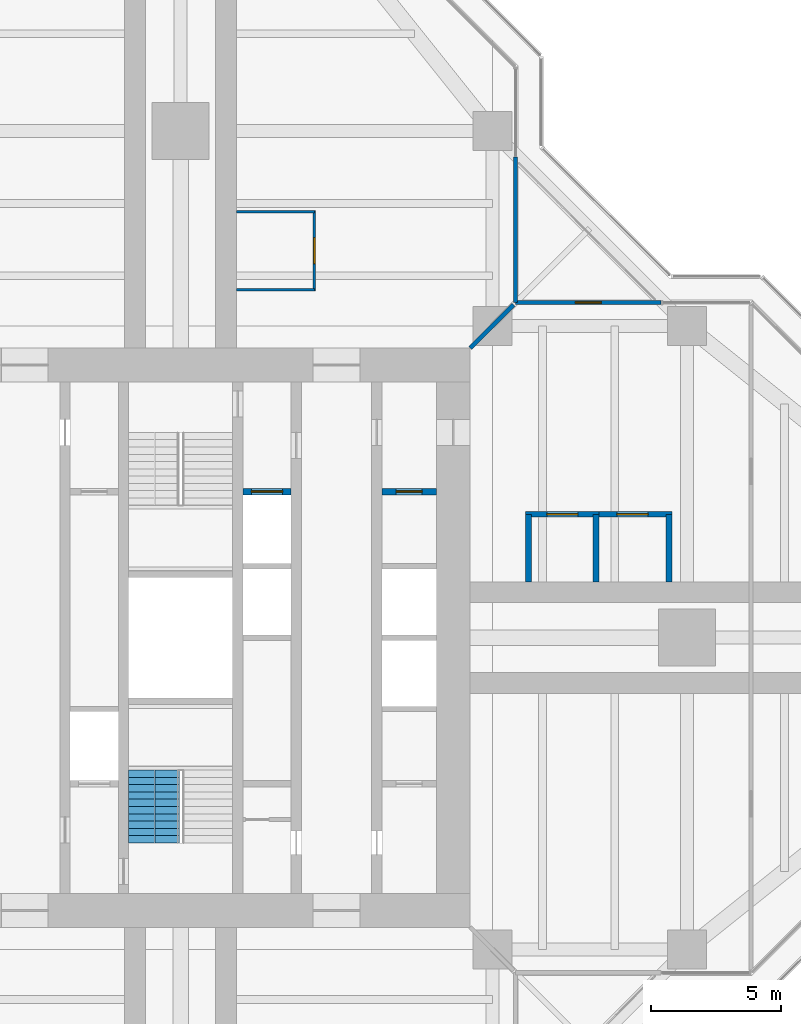
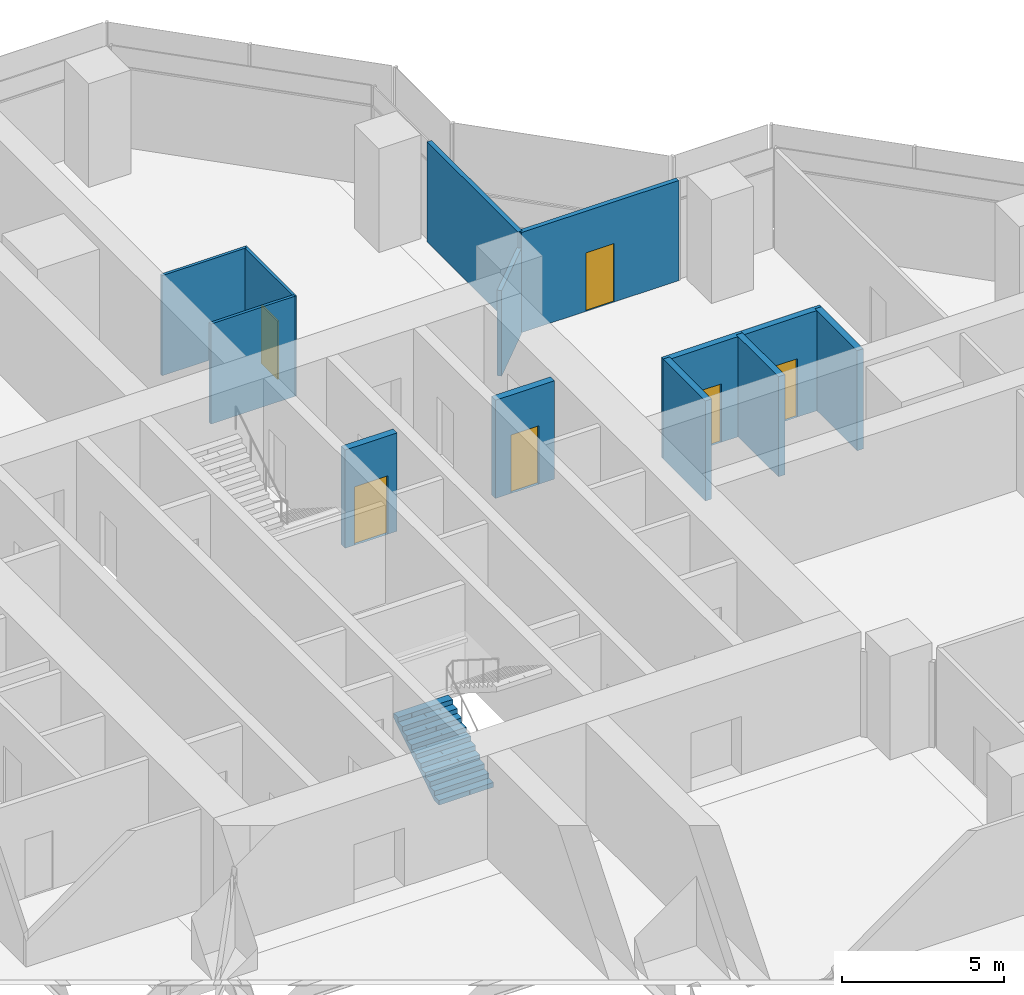
# One storey, part 15 of 17: 13 walls, 6 doors, 1 stair flight, 6 openings, 1 element without a shape of its own.
"""IFC4 building model written with IfcOpenShell, lengths in metres."""

from ifc_helpers import new_model, si_unit, direction, frame, frame_2d, origin, place, context, subcontext, project, spatial, polyline, rectangle, outline, extrude, material, layer, layer_set, type_object, element, fill, aggregate, save


model = new_model("IFC4")

# Units and contexts
model_context = context("Model", 3, precision=1e-05, world=origin(), true_north=direction((0.0, 1.0)))
body_context = subcontext(model_context, "Body", "Model", "MODEL_VIEW")
ifc_project = project(units=[si_unit("LENGTHUNIT", "METRE"), si_unit("AREAUNIT", "SQUARE_METRE"), si_unit("VOLUMEUNIT", "CUBIC_METRE"), si_unit("PLANEANGLEUNIT", "RADIAN"), si_unit("MASSUNIT", "GRAM", prefix="KILO")], contexts=[model_context])

# Site, building, storey
site_placement = place(None, origin())
site = spatial("IfcSite", under=ifc_project, at=site_placement, CompositionType="ELEMENT")
building_placement = place(site_placement, origin())
building = spatial("IfcBuilding", under=site, at=building_placement, Name="Mizan Broadcast Tower", CompositionType="ELEMENT")
storey_placement = place(building_placement, frame((0.0, 0.0, 212.699951171875)))
storey = spatial("IfcBuildingStorey", under=building, at=storey_placement, Name="L49", CompositionType="ELEMENT", Elevation=212.699951171875)

# Wall, opening, door
ifc_material_1 = material(Name="Aluminium framed glazed screen", Category="aluminium")
ifc_layer_1 = layer(ifc_material_1, 0.159912109375)
ifc_layer_set_1 = layer_set([ifc_layer_1], Name="Aluminium framed glazed screen")
wall_type_1 = type_object("IfcWallType", Name="GLAZED SCREEN WALL 160", PredefinedType="SOLIDWALL", material=ifc_layer_set_1)
wall_1_placement = place(storey_placement, frame((18.5, 12.89990234375, 0.0), z_axis=(0.0, 0.0, 1.0), x_axis=(-1.0, 0.0, 0.0)))
wall_1 = element("IfcWall", 1, at=wall_1_placement, inside=storey, type_object=wall_type_1, Name="Winter garden screen L49 E", PredefinedType="SOLIDWALL", context=body_context, shape_type="SweptSolid", body=[
    extrude(rectangle(XDim=5.60009765625, YDim=0.159912109375, at=frame_2d((2.800048828125, 0.0))), origin(), (0.0, 0.0, 1.0), 3.77001953125),
])
opening_1_placement = place(wall_1_placement, frame((2.300048828125, 0.0, 0.0)))
opening_1 = element("IfcOpeningElement", 2, at=opening_1_placement, cuts=wall_1, Name="Opening WGD", PredefinedType="OPENING", context=body_context, shape_type="SweptSolid", body=[
    extrude(rectangle(XDim=1.0, YDim=2.199951171875, at=frame_2d((0.5, 1.10009765625))), frame((0.0, 0.08984375, 0.0), z_axis=(0.0, -1.0, 0.0), x_axis=(1.0, 0.0, 0.0)), (0.0, 0.0, 1.0), 0.179931640625),
])
ifc_material_2 = material(Name="Aluminium framed glazed door", Category="aluminium")
door_type_1 = type_object("IfcDoorType", Name="WINTER GARDEN DOOR 1000 GLAZED", OperationType="SINGLE_SWING_LEFT", PredefinedType="DOOR", material=ifc_material_2)
door_1_placement = place(opening_1_placement, origin())
door_1 = element("IfcDoor", 3, at=door_1_placement, inside=storey, type_object=door_type_1, Name="Winter garden door L49 E", OperationType="SINGLE_SWING_RIGHT", OverallHeight=2.199951171875, OverallWidth=1.0, PredefinedType="DOOR", context=body_context, shape_type="SweptSolid", body=[
    extrude(rectangle(XDim=1.0, YDim=2.199951171875, at=frame_2d((0.5, 1.10009765625))), frame((0.0, 0.02490234375, 0.0), z_axis=(0.0, -1.0, 0.0), x_axis=(1.0, 0.0, 0.0)), (0.0, 0.0, 1.0), 0.050048828125),
])
fill(opening_1, door_1)

# Wall
wall_2_placement = place(storey_placement, frame((12.89990234375, 12.89990234375, 0.0), z_axis=(0.0, 0.0, 1.0), x_axis=(0.0, 1.0, 0.0)))
element("IfcWall", 4, at=wall_2_placement, inside=storey, type_object=wall_type_1, Name="Winter garden screen L49 N", PredefinedType="SOLIDWALL", context=body_context, shape_type="SweptSolid", body=[
    extrude(rectangle(XDim=5.60009765625, YDim=0.159912109375, at=frame_2d((2.800048828125, 0.0))), origin(), (0.0, 0.0, 1.0), 3.77001953125),
])

# Wall, opening, door
ifc_material_3 = material(Name="Concrete blockwork", Category="masonry")
ifc_layer_2 = layer(ifc_material_3, 0.25)
ifc_layer_set_2 = layer_set([ifc_layer_2], Name="Concrete blockwork")
wall_type_2 = type_object("IfcWallType", Name="LOBBY ENCLOSURE WALL 250", PredefinedType="SOLIDWALL", material=ifc_layer_set_2)
wall_3_placement = place(storey_placement, frame((2.39990234375, 5.625, 0.0), z_axis=(0.0, 0.0, 1.0), x_axis=(1.0, 0.0, 0.0)))
wall_3 = element("IfcWall", 5, at=wall_3_placement, inside=storey, type_object=wall_type_2, Name="Lobby enclosure wall CORE/BE2N", PredefinedType="SOLIDWALL", context=body_context, shape_type="SweptSolid", body=[
    extrude(rectangle(XDim=1.85009765625, YDim=0.25, at=frame_2d((0.925048828125, 0.0))), origin(), (0.0, 0.0, 1.0), 3.699951171875),
])
opening_2_placement = place(wall_3_placement, frame((0.324951171875, 0.0, 0.0)))
opening_2 = element("IfcOpeningElement", 6, at=opening_2_placement, cuts=wall_3, Name="Opening LDF", PredefinedType="OPENING", context=body_context, shape_type="SweptSolid", body=[
    extrude(rectangle(XDim=1.199951171875, YDim=2.199951171875, at=frame_2d((0.60009765625, 1.10009765625))), frame((0.0, 0.135009765625, 0.0), z_axis=(0.0, -1.0, 0.0), x_axis=(1.0, 0.0, 0.0)), (0.0, 0.0, 1.0), 0.27001953125),
])
ifc_material_4 = material(Name="Steel door leaf in steel frame", Category="steel")
door_type_2 = type_object("IfcDoorType", Name="FIREFIGHTING LIFT LANDING DOOR 1200", OperationType="SLIDING_TO_LEFT", PredefinedType="DOOR", material=ifc_material_4)
door_2_placement = place(opening_2_placement, origin())
door_2 = element("IfcDoor", 7, at=door_2_placement, inside=storey, type_object=door_type_2, Name="Landing door FF2", OperationType="SLIDING_TO_LEFT", OverallHeight=2.199951171875, OverallWidth=1.199951171875, PredefinedType="DOOR", context=body_context, shape_type="SweptSolid", body=[
    extrude(rectangle(XDim=1.199951171875, YDim=2.199951171875, at=frame_2d((0.60009765625, 1.10009765625))), frame((0.0, 0.02490234375, 0.0), z_axis=(0.0, -1.0, 0.0), x_axis=(1.0, 0.0, 0.0)), (0.0, 0.0, 1.0), 0.050048828125),
])
fill(opening_2, door_2)

wall_4_placement = place(storey_placement, frame((7.75, 5.625, 0.0), z_axis=(0.0, 0.0, 1.0), x_axis=(1.0, 0.0, 0.0)))
wall_4 = element("IfcWall", 8, at=wall_4_placement, inside=storey, type_object=wall_type_2, Name="Lobby enclosure wall CORE/BE1N", PredefinedType="SOLIDWALL", context=body_context, shape_type="SweptSolid", body=[
    extrude(rectangle(XDim=2.10009765625, YDim=0.25, at=frame_2d((1.050048828125, 0.0))), origin(), (0.0, 0.0, 1.0), 3.699951171875),
])
opening_3_placement = place(wall_4_placement, frame((0.550048828125, 0.0, 0.0)))
opening_3 = element("IfcOpeningElement", 9, at=opening_3_placement, cuts=wall_4, Name="Opening D10F", PredefinedType="OPENING", context=body_context, shape_type="SweptSolid", body=[
    extrude(rectangle(XDim=1.0, YDim=2.199951171875, at=frame_2d((0.5, 1.10009765625))), frame((0.0, 0.135009765625, 0.0), z_axis=(0.0, -1.0, 0.0), x_axis=(1.0, 0.0, 0.0)), (0.0, 0.0, 1.0), 0.27001953125),
])
ifc_material_5 = material(Name="Steel door leaf in steel frame", Category="steel")
door_type_3 = type_object("IfcDoorType", Name="FIRE DOOR 1000 FD90", OperationType="SINGLE_SWING_LEFT", PredefinedType="DOOR", material=ifc_material_5)
door_3_placement = place(opening_3_placement, origin())
door_3 = element("IfcDoor", 10, at=door_3_placement, inside=storey, type_object=door_type_3, Name="Comms room door", OperationType="SINGLE_SWING_LEFT", OverallHeight=2.199951171875, OverallWidth=1.0, PredefinedType="DOOR", context=body_context, shape_type="SweptSolid", body=[
    extrude(rectangle(XDim=1.0, YDim=2.199951171875, at=frame_2d((0.5, 1.10009765625))), frame((0.0, 0.02490234375, 0.0), z_axis=(0.0, -1.0, 0.0), x_axis=(1.0, 0.0, 0.0)), (0.0, 0.0, 1.0), 0.050048828125),
])
fill(opening_3, door_3)

# Walls
ifc_material_6 = material(Name="Gypsum board on steel studs", Category="steel")
ifc_layer_3 = layer(ifc_material_6, 0.14990234375)
ifc_layer_set_3 = layer_set([ifc_layer_3], Name="Gypsum board on steel studs")
wall_type_3 = type_object("IfcWallType", Name="PARTITION 150", PredefinedType="PARTITIONING", material=ifc_layer_set_3)
wall_5_placement = place(storey_placement, frame((11.14990234375, 11.14990234375, 0.0), z_axis=(0.0, 0.0, 1.0), x_axis=(0.707106781187, 0.707106781187, 0.0)))
element("IfcWall", 11, at=wall_5_placement, inside=storey, type_object=wall_type_3, Name="Partition PT/DGEN", PredefinedType="PARTITIONING", context=body_context, shape_type="SweptSolid", body=[
    extrude(rectangle(XDim=2.362060546875, YDim=0.14990234375, at=frame_2d((1.18115234375, 0.0))), origin(), (0.0, 0.0, 1.0), 3.219970703125),
])
ifc_material_7 = material(Name="Twin steel stud acoustic partition, four layers of gypsum board", Category="steel")
ifc_layer_4 = layer(ifc_material_7, 0.22509765625)
ifc_layer_set_4 = layer_set([ifc_layer_4], Name="Twin steel stud acoustic partition, four layers of gypsum board")
wall_type_4 = type_object("IfcWallType", Name="PARTITION ACOUSTIC 225", PredefinedType="PARTITIONING", material=ifc_layer_set_4)
for number, where, z_axis, x_axis, name in (
    (12, (13.39990234375, 2.14990234375, 0.0), (0.0, 0.0, 1.0), (0.0, 1.0, 0.0), "Acoustic partition PT/EKP0a"),
    (13, (16.0, 2.14990234375, 0.0), (0.0, 0.0, 1.0), (0.0, 1.0, 0.0), "Acoustic partition PT/EKP0b"),
):
    element("IfcWall", number, at=place(storey_placement, frame(where, z_axis=z_axis, x_axis=x_axis)), inside=storey, type_object=wall_type_4, Name=name, PredefinedType="PARTITIONING", context=body_context, shape_type="SweptSolid", body=[
        extrude(rectangle(XDim=2.60009765625, YDim=0.22509765625, at=frame_2d((1.300048828125, 0.0))), origin(), (0.0, 0.0, 1.0), 3.77001953125),
    ])

# Wall, opening, door
wall_6_placement = place(storey_placement, frame((13.28759765625, 4.75, 0.0), z_axis=(0.0, 0.0, 1.0), x_axis=(1.0, 0.0, 0.0)))
wall_6 = element("IfcWall", 14, at=wall_6_placement, inside=storey, type_object=wall_type_4, Name="Acoustic partition PT/EKP0f", PredefinedType="PARTITIONING", context=body_context, shape_type="SweptSolid", body=[
    extrude(rectangle(XDim=2.824951171875, YDim=0.22509765625, at=frame_2d((1.41259765625, 0.0))), origin(), (0.0, 0.0, 1.0), 3.77001953125),
])
opening_4_placement = place(wall_6_placement, frame((0.8125, 0.0, 0.0)))
opening_4 = element("IfcOpeningElement", 15, at=opening_4_placement, cuts=wall_6, Name="Opening D12A", PredefinedType="OPENING", context=body_context, shape_type="SweptSolid", body=[
    extrude(rectangle(XDim=1.199951171875, YDim=2.199951171875, at=frame_2d((0.60009765625, 1.10009765625))), frame((0.0, 0.12255859375, 0.0), z_axis=(0.0, -1.0, 0.0), x_axis=(1.0, 0.0, 0.0)), (0.0, 0.0, 1.0), 0.2451171875),
])
ifc_material_8 = material(Name="Timber door leaf in aluminium frame", Category="wood")
door_type_4 = type_object("IfcDoorType", Name="ACOUSTIC DOOR 1200", OperationType="SINGLE_SWING_LEFT", PredefinedType="DOOR", material=ifc_material_8)
door_4_placement = place(opening_4_placement, origin())
door_4 = element("IfcDoor", 16, at=door_4_placement, inside=storey, type_object=door_type_4, Name="Radio booth door", OperationType="SINGLE_SWING_LEFT", OverallHeight=2.199951171875, OverallWidth=1.199951171875, PredefinedType="DOOR", context=body_context, shape_type="SweptSolid", body=[
    extrude(rectangle(XDim=1.199951171875, YDim=2.199951171875, at=frame_2d((0.60009765625, 1.10009765625))), frame((0.0, 0.02490234375, 0.0), z_axis=(0.0, -1.0, 0.0), x_axis=(1.0, 0.0, 0.0)), (0.0, 0.0, 1.0), 0.050048828125),
])
fill(opening_4, door_4)

# Wall
wall_7_placement = place(storey_placement, frame((18.800048828125, 2.14990234375, 0.0), z_axis=(0.0, 0.0, 1.0), x_axis=(0.0, 1.0, 0.0)))
element("IfcWall", 17, at=wall_7_placement, inside=storey, type_object=wall_type_4, Name="Acoustic partition PT/EKP1b", PredefinedType="PARTITIONING", context=body_context, shape_type="SweptSolid", body=[
    extrude(rectangle(XDim=2.60009765625, YDim=0.22509765625, at=frame_2d((1.300048828125, 0.0))), origin(), (0.0, 0.0, 1.0), 3.77001953125),
])

# Wall, opening, door
wall_8_placement = place(storey_placement, frame((16.112548828125, 4.75, 0.0), z_axis=(0.0, 0.0, 1.0), x_axis=(1.0, 0.0, 0.0)))
wall_8 = element("IfcWall", 18, at=wall_8_placement, inside=storey, type_object=wall_type_4, Name="Acoustic partition PT/EKP1f", PredefinedType="PARTITIONING", context=body_context, shape_type="SweptSolid", body=[
    extrude(rectangle(XDim=2.800048828125, YDim=0.22509765625, at=frame_2d((1.39990234375, 0.0))), origin(), (0.0, 0.0, 1.0), 3.77001953125),
])
opening_5_placement = place(wall_8_placement, frame((0.6875, 0.0, 0.0)))
opening_5 = element("IfcOpeningElement", 19, at=opening_5_placement, cuts=wall_8, Name="Opening D12A", PredefinedType="OPENING", context=body_context, shape_type="SweptSolid", body=[
    extrude(rectangle(XDim=1.199951171875, YDim=2.199951171875, at=frame_2d((0.60009765625, 1.10009765625))), frame((0.0, 0.12255859375, 0.0), z_axis=(0.0, -1.0, 0.0), x_axis=(1.0, 0.0, 0.0)), (0.0, 0.0, 1.0), 0.2451171875),
])
door_5_placement = place(opening_5_placement, origin())
door_5 = element("IfcDoor", 20, at=door_5_placement, inside=storey, type_object=door_type_4, Name="Radio booth door", OperationType="SINGLE_SWING_LEFT", OverallHeight=2.199951171875, OverallWidth=1.199951171875, PredefinedType="DOOR", context=body_context, shape_type="SweptSolid", body=[
    extrude(rectangle(XDim=1.199951171875, YDim=2.199951171875, at=frame_2d((0.60009765625, 1.10009765625))), frame((0.0, 0.02490234375, 0.0), z_axis=(0.0, -1.0, 0.0), x_axis=(1.0, 0.0, 0.0)), (0.0, 0.0, 1.0), 0.050048828125),
])
fill(opening_5, door_5)

# Walls
ifc_material_9 = material(Name="Glazed aluminium partition on aluminium track", Category="aluminium")
ifc_layer_5 = layer(ifc_material_9, 0.10009765625)
ifc_layer_set_5 = layer_set([ifc_layer_5], Name="Glazed aluminium partition on aluminium track")
wall_type_5 = type_object("IfcWallType", Name="PARTITION GLAZED OFFICE FRONT 100", PredefinedType="PARTITIONING", material=ifc_layer_set_5)
for number, where, z_axis, x_axis, name in (
    (21, (2.14990234375, 13.39990234375, 0.0), (0.0, 0.0, 1.0), (1.0, 0.0, 0.0), "Glazed office front PT/NKN0a"),
    (22, (2.14990234375, 16.39990234375, 0.0), (0.0, 0.0, 1.0), (1.0, 0.0, 0.0), "Glazed office front PT/NKN0b"),
):
    element("IfcWall", number, at=place(storey_placement, frame(where, z_axis=z_axis, x_axis=x_axis)), inside=storey, type_object=wall_type_5, Name=name, PredefinedType="PARTITIONING", context=body_context, shape_type="SweptSolid", body=[
        extrude(rectangle(XDim=3.0, YDim=0.10009765625, at=frame_2d((1.5, 0.0))), origin(), (0.0, 0.0, 1.0), 3.77001953125),
    ])

# Wall, opening, door
wall_9_placement = place(storey_placement, frame((5.14990234375, 13.35009765625, 0.0), z_axis=(0.0, 0.0, 1.0), x_axis=(0.0, 1.0, 0.0)))
wall_9 = element("IfcWall", 23, at=wall_9_placement, inside=storey, type_object=wall_type_5, Name="Glazed office front PT/NKN0f", PredefinedType="PARTITIONING", context=body_context, shape_type="SweptSolid", body=[
    extrude(rectangle(XDim=3.099853515625, YDim=0.10009765625, at=frame_2d((1.5498046875, 0.0))), origin(), (0.0, 0.0, 1.0), 3.77001953125),
])
opening_6_placement = place(wall_9_placement, frame((1.050048828125, 0.0, 0.0)))
opening_6 = element("IfcOpeningElement", 24, at=opening_6_placement, cuts=wall_9, Name="Opening D10O", PredefinedType="OPENING", context=body_context, shape_type="SweptSolid", body=[
    extrude(rectangle(XDim=1.0, YDim=2.199951171875, at=frame_2d((0.5, 1.10009765625))), frame((0.0, 0.06005859375, 0.0), z_axis=(0.0, -1.0, 0.0), x_axis=(1.0, 0.0, 0.0)), (0.0, 0.0, 1.0), 0.1201171875),
])
ifc_material_10 = material(Name="Timber door leaf in aluminium frame", Category="wood")
door_type_5 = type_object("IfcDoorType", Name="OFFICE DOOR 1000 GLAZED", OperationType="SINGLE_SWING_LEFT", PredefinedType="DOOR", material=ifc_material_10)
door_6_placement = place(opening_6_placement, origin())
door_6 = element("IfcDoor", 25, at=door_6_placement, inside=storey, type_object=door_type_5, Name="Pantry door", OperationType="SINGLE_SWING_LEFT", OverallHeight=2.199951171875, OverallWidth=1.0, PredefinedType="DOOR", context=body_context, shape_type="SweptSolid", body=[
    extrude(rectangle(XDim=1.0, YDim=2.199951171875, at=frame_2d((0.5, 1.10009765625))), frame((0.0, 0.02490234375, 0.0), z_axis=(0.0, -1.0, 0.0), x_axis=(1.0, 0.0, 0.0)), (0.0, 0.0, 1.0), 0.050048828125),
])
fill(opening_6, door_6)

# Stair, stair flight
ifc_material_11 = material(Name="Concrete C40/50", Category="concrete")
stair_type = type_object("IfcStairType", Name="EXIT STAIR", PredefinedType="HALF_TURN_STAIR", material=ifc_material_11)
stair_placement = place(storey_placement, origin())
stair = element("IfcStair", 26, at=stair_placement, inside=storey, type_object=stair_type, Name="Stair A L49", PredefinedType="HALF_TURN_STAIR")
ifc_material_12 = material(Name="Concrete C40/50", Category="concrete")
stair_flight_type = type_object("IfcStairFlightType", Name="EXIT STAIR FLIGHT", PredefinedType="STRAIGHT", material=ifc_material_12)
stair_flight_placement = place(storey_placement, frame((-1.02490234375, -7.89990234375, 0.0), z_axis=(0.0, 0.0, 1.0), x_axis=(0.0, 1.0, 0.0)))
stair_flight = element("IfcStairFlight", 27, at=stair_flight_placement, type_object=stair_flight_type, Name="A flight 1", NumberOfRisers=11, NumberOfTreads=10, PredefinedType="STRAIGHT", RiserHeight=0.177272727, TreadLength=0.28, context=body_context, shape_type="SweptSolid", body=[
    extrude(outline(polyline([(0.0, 0.0), (0.0, 0.17724609375), (0.280029296875, 0.17724609375), (0.280029296875, 0.3544921875), (0.56005859375, 0.3544921875), (0.56005859375, 0.53173828125), (0.840087890625, 0.53173828125), (0.840087890625, 0.708984375), (1.1201171875, 0.708984375), (1.1201171875, 0.886474609375), (1.39990234375, 0.886474609375), (1.39990234375, 1.063720703125), (1.679931640625, 1.063720703125), (1.679931640625, 1.240966796875), (1.9599609375, 1.240966796875), (1.9599609375, 1.418212890625), (2.239990234375, 1.418212890625), (2.239990234375, 1.595458984375), (2.52001953125, 1.595458984375), (2.52001953125, 1.772705078125), (2.800048828125, 1.772705078125), (2.800048828125, 1.949951171875), (2.800048828125, 1.59521484375), (0.2802734375, 0.0), (0.0, 0.0)])), frame((0.0, 0.97509765625, 0.0), z_axis=(0.0, -1.0, 0.0), x_axis=(1.0, 0.0, 0.0)), (0.0, 0.0, 1.0), 0.4873046875),
    extrude(outline(polyline([(0.0, 0.0), (0.0, 0.17724609375), (0.280029296875, 0.17724609375), (0.280029296875, 0.3544921875), (0.56005859375, 0.3544921875), (0.56005859375, 0.53173828125), (0.840087890625, 0.53173828125), (0.840087890625, 0.708984375), (1.1201171875, 0.708984375), (1.1201171875, 0.886474609375), (1.39990234375, 0.886474609375), (1.39990234375, 1.063720703125), (1.679931640625, 1.063720703125), (1.679931640625, 1.240966796875), (1.9599609375, 1.240966796875), (1.9599609375, 1.418212890625), (2.239990234375, 1.418212890625), (2.239990234375, 1.595458984375), (2.52001953125, 1.595458984375), (2.52001953125, 1.772705078125), (2.800048828125, 1.772705078125), (2.800048828125, 1.949951171875), (2.800048828125, 1.59521484375), (0.2802734375, 0.0), (0.0, 0.0)])), frame((0.0, 0.4873046875, 0.0), z_axis=(0.0, -1.0, 0.0), x_axis=(1.0, 0.0, 0.0)), (0.0, 0.0, 1.0), 0.2431640625),
    extrude(outline(polyline([(0.0, 0.0), (0.0, 0.17724609375), (0.280029296875, 0.17724609375), (0.280029296875, 0.3544921875), (0.56005859375, 0.3544921875), (0.56005859375, 0.53173828125), (0.840087890625, 0.53173828125), (0.840087890625, 0.708984375), (1.1201171875, 0.708984375), (1.1201171875, 0.886474609375), (1.39990234375, 0.886474609375), (1.39990234375, 1.063720703125), (1.679931640625, 1.063720703125), (1.679931640625, 1.240966796875), (1.9599609375, 1.240966796875), (1.9599609375, 1.418212890625), (2.239990234375, 1.418212890625), (2.239990234375, 1.595458984375), (2.52001953125, 1.595458984375), (2.52001953125, 1.772705078125), (2.800048828125, 1.772705078125), (2.800048828125, 1.949951171875), (2.800048828125, 1.59521484375), (0.2802734375, 0.0), (0.0, 0.0)])), frame((0.0, 0.24365234375, 0.0), z_axis=(0.0, -1.0, 0.0), x_axis=(1.0, 0.0, 0.0)), (0.0, 0.0, 1.0), 0.121337890625),
    extrude(outline(polyline([(0.0, 0.0), (0.0, 0.17724609375), (0.280029296875, 0.17724609375), (0.280029296875, 0.3544921875), (0.56005859375, 0.3544921875), (0.56005859375, 0.53173828125), (0.840087890625, 0.53173828125), (0.840087890625, 0.708984375), (1.1201171875, 0.708984375), (1.1201171875, 0.886474609375), (1.39990234375, 0.886474609375), (1.39990234375, 1.063720703125), (1.679931640625, 1.063720703125), (1.679931640625, 1.240966796875), (1.9599609375, 1.240966796875), (1.9599609375, 1.418212890625), (2.239990234375, 1.418212890625), (2.239990234375, 1.595458984375), (2.52001953125, 1.595458984375), (2.52001953125, 1.772705078125), (2.800048828125, 1.772705078125), (2.800048828125, 1.949951171875), (2.800048828125, 1.59521484375), (0.2802734375, 0.0), (0.0, 0.0)])), frame((0.0, 0.121826171875, 0.0), z_axis=(0.0, -1.0, 0.0), x_axis=(1.0, 0.0, 0.0)), (0.0, 0.0, 1.0), 0.060546875),
    extrude(outline(polyline([(0.0, 0.0), (0.0, 0.17724609375), (0.280029296875, 0.17724609375), (0.280029296875, 0.3544921875), (0.56005859375, 0.3544921875), (0.56005859375, 0.53173828125), (0.840087890625, 0.53173828125), (0.840087890625, 0.708984375), (1.1201171875, 0.708984375), (1.1201171875, 0.886474609375), (1.39990234375, 0.886474609375), (1.39990234375, 1.063720703125), (1.679931640625, 1.063720703125), (1.679931640625, 1.240966796875), (1.9599609375, 1.240966796875), (1.9599609375, 1.418212890625), (2.239990234375, 1.418212890625), (2.239990234375, 1.595458984375), (2.52001953125, 1.595458984375), (2.52001953125, 1.772705078125), (2.800048828125, 1.772705078125), (2.800048828125, 1.949951171875), (2.800048828125, 1.59521484375), (0.2802734375, 0.0), (0.0, 0.0)])), frame((0.0, 0.060791015625, 0.0), z_axis=(0.0, -1.0, 0.0), x_axis=(1.0, 0.0, 0.0)), (0.0, 0.0, 1.0), 0.030029296875),
    extrude(outline(polyline([(0.0, 0.0), (0.0, 0.17724609375), (0.280029296875, 0.17724609375), (0.280029296875, 0.3544921875), (0.56005859375, 0.3544921875), (0.56005859375, 0.53173828125), (0.840087890625, 0.53173828125), (0.840087890625, 0.708984375), (1.1201171875, 0.708984375), (1.1201171875, 0.886474609375), (1.39990234375, 0.886474609375), (1.39990234375, 1.063720703125), (1.679931640625, 1.063720703125), (1.679931640625, 1.240966796875), (1.9599609375, 1.240966796875), (1.9599609375, 1.418212890625), (2.239990234375, 1.418212890625), (2.239990234375, 1.595458984375), (2.52001953125, 1.595458984375), (2.52001953125, 1.772705078125), (2.800048828125, 1.772705078125), (2.800048828125, 1.949951171875), (2.800048828125, 1.59521484375), (0.2802734375, 0.0), (0.0, 0.0)])), frame((0.0, 0.0302734375, 0.0), z_axis=(0.0, -1.0, 0.0), x_axis=(1.0, 0.0, 0.0)), (0.0, 0.0, 1.0), 0.060302734375),
    extrude(outline(polyline([(0.0, 0.0), (0.0, 0.17724609375), (0.280029296875, 0.17724609375), (0.280029296875, 0.3544921875), (0.56005859375, 0.3544921875), (0.56005859375, 0.53173828125), (0.840087890625, 0.53173828125), (0.840087890625, 0.708984375), (1.1201171875, 0.708984375), (1.1201171875, 0.886474609375), (1.39990234375, 0.886474609375), (1.39990234375, 1.063720703125), (1.679931640625, 1.063720703125), (1.679931640625, 1.240966796875), (1.9599609375, 1.240966796875), (1.9599609375, 1.418212890625), (2.239990234375, 1.418212890625), (2.239990234375, 1.595458984375), (2.52001953125, 1.595458984375), (2.52001953125, 1.772705078125), (2.800048828125, 1.772705078125), (2.800048828125, 1.949951171875), (2.800048828125, 1.59521484375), (0.2802734375, 0.0), (0.0, 0.0)])), frame((0.0, -0.030517578125, 0.0), z_axis=(0.0, -1.0, 0.0), x_axis=(1.0, 0.0, 0.0)), (0.0, 0.0, 1.0), 0.030029296875),
    extrude(outline(polyline([(0.0, 0.0), (0.0, 0.17724609375), (0.280029296875, 0.17724609375), (0.280029296875, 0.3544921875), (0.56005859375, 0.3544921875), (0.56005859375, 0.53173828125), (0.840087890625, 0.53173828125), (0.840087890625, 0.708984375), (1.1201171875, 0.708984375), (1.1201171875, 0.886474609375), (1.39990234375, 0.886474609375), (1.39990234375, 1.063720703125), (1.679931640625, 1.063720703125), (1.679931640625, 1.240966796875), (1.9599609375, 1.240966796875), (1.9599609375, 1.418212890625), (2.239990234375, 1.418212890625), (2.239990234375, 1.595458984375), (2.52001953125, 1.595458984375), (2.52001953125, 1.772705078125), (2.800048828125, 1.772705078125), (2.800048828125, 1.949951171875), (2.800048828125, 1.59521484375), (0.2802734375, 0.0), (0.0, 0.0)])), frame((0.0, -0.06103515625, 0.0), z_axis=(0.0, -1.0, 0.0), x_axis=(1.0, 0.0, 0.0)), (0.0, 0.0, 1.0), 0.060546875),
    extrude(outline(polyline([(0.0, 0.0), (0.0, 0.17724609375), (0.280029296875, 0.17724609375), (0.280029296875, 0.3544921875), (0.56005859375, 0.3544921875), (0.56005859375, 0.53173828125), (0.840087890625, 0.53173828125), (0.840087890625, 0.708984375), (1.1201171875, 0.708984375), (1.1201171875, 0.886474609375), (1.39990234375, 0.886474609375), (1.39990234375, 1.063720703125), (1.679931640625, 1.063720703125), (1.679931640625, 1.240966796875), (1.9599609375, 1.240966796875), (1.9599609375, 1.418212890625), (2.239990234375, 1.418212890625), (2.239990234375, 1.595458984375), (2.52001953125, 1.595458984375), (2.52001953125, 1.772705078125), (2.800048828125, 1.772705078125), (2.800048828125, 1.949951171875), (2.800048828125, 1.59521484375), (0.2802734375, 0.0), (0.0, 0.0)])), frame((0.0, -0.1220703125, 0.0), z_axis=(0.0, -1.0, 0.0), x_axis=(1.0, 0.0, 0.0)), (0.0, 0.0, 1.0), 0.121337890625),
    extrude(outline(polyline([(0.0, 0.0), (0.0, 0.17724609375), (0.280029296875, 0.17724609375), (0.280029296875, 0.3544921875), (0.56005859375, 0.3544921875), (0.56005859375, 0.53173828125), (0.840087890625, 0.53173828125), (0.840087890625, 0.708984375), (1.1201171875, 0.708984375), (1.1201171875, 0.886474609375), (1.39990234375, 0.886474609375), (1.39990234375, 1.063720703125), (1.679931640625, 1.063720703125), (1.679931640625, 1.240966796875), (1.9599609375, 1.240966796875), (1.9599609375, 1.418212890625), (2.239990234375, 1.418212890625), (2.239990234375, 1.595458984375), (2.52001953125, 1.595458984375), (2.52001953125, 1.772705078125), (2.800048828125, 1.772705078125), (2.800048828125, 1.949951171875), (2.800048828125, 1.59521484375), (0.2802734375, 0.0), (0.0, 0.0)])), frame((0.0, -0.243896484375, 0.0), z_axis=(0.0, -1.0, 0.0), x_axis=(1.0, 0.0, 0.0)), (0.0, 0.0, 1.0), 0.2431640625),
    extrude(outline(polyline([(0.0, 0.0), (0.0, 0.17724609375), (0.280029296875, 0.17724609375), (0.280029296875, 0.3544921875), (0.56005859375, 0.3544921875), (0.56005859375, 0.53173828125), (0.840087890625, 0.53173828125), (0.840087890625, 0.708984375), (1.1201171875, 0.708984375), (1.1201171875, 0.886474609375), (1.39990234375, 0.886474609375), (1.39990234375, 1.063720703125), (1.679931640625, 1.063720703125), (1.679931640625, 1.240966796875), (1.9599609375, 1.240966796875), (1.9599609375, 1.418212890625), (2.239990234375, 1.418212890625), (2.239990234375, 1.595458984375), (2.52001953125, 1.595458984375), (2.52001953125, 1.772705078125), (2.800048828125, 1.772705078125), (2.800048828125, 1.949951171875), (2.800048828125, 1.59521484375), (0.2802734375, 0.0), (0.0, 0.0)])), frame((0.0, -0.487548828125, 0.0), z_axis=(0.0, -1.0, 0.0), x_axis=(1.0, 0.0, 0.0)), (0.0, 0.0, 1.0), 0.4873046875),
])
aggregate(stair, [stair_flight])

save(model, "model.ifc")
